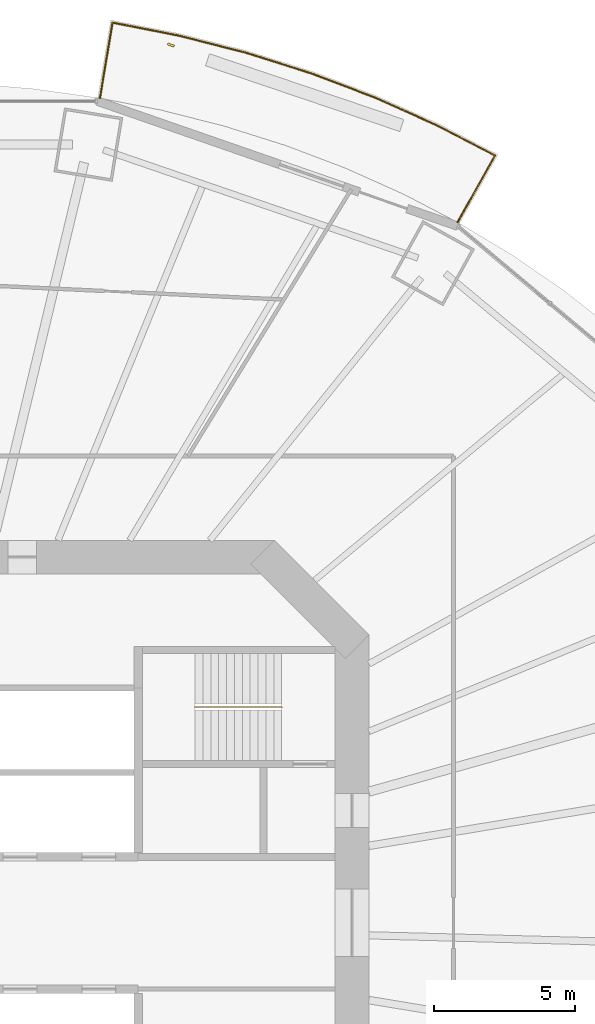
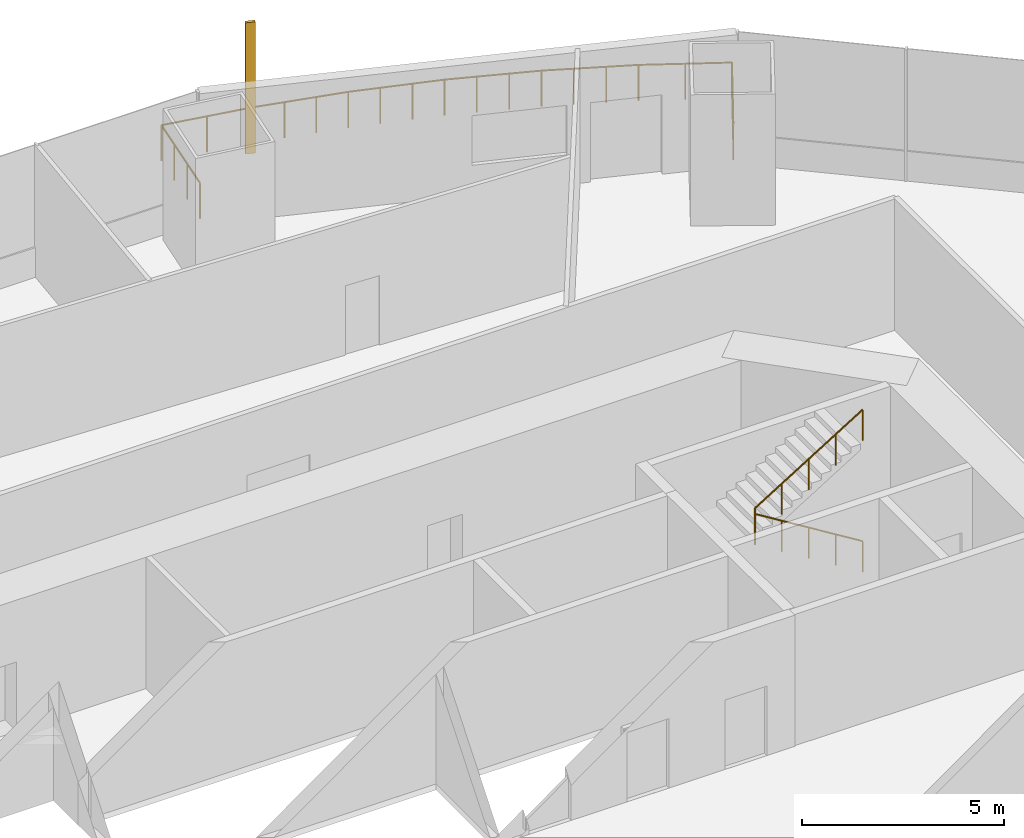
# One storey, part 20 of 22: 2 railings, 1 shading device.
"""IFC4 building model written with IfcOpenShell, lengths in metres."""

from ifc_helpers import new_model, si_unit, direction, frame, origin, origin_2d, place, context, subcontext, project, spatial, rectangle, circle, extrude, material, material_profile, profile_set, type_object, element, save


model = new_model("IFC4")

# Units and contexts
model_context = context("Model", 3, precision=1e-05, world=origin(), true_north=direction((0.0, 1.0)))
body_context = subcontext(model_context, "Body", "Model", "MODEL_VIEW")
ifc_project = project(units=[si_unit("LENGTHUNIT", "METRE"), si_unit("AREAUNIT", "SQUARE_METRE"), si_unit("VOLUMEUNIT", "CUBIC_METRE"), si_unit("PLANEANGLEUNIT", "RADIAN"), si_unit("MASSUNIT", "GRAM", prefix="KILO")], contexts=[model_context])

# Site, building, storey
site_placement = place(None, origin())
site = spatial("IfcSite", under=ifc_project, at=site_placement, CompositionType="ELEMENT")
building_placement = place(site_placement, origin())
building = spatial("IfcBuilding", under=site, at=building_placement, Name="Marenthal Gate Tower", CompositionType="ELEMENT")
storey_placement = place(building_placement, frame((0.0, 0.0, 74.5)))
storey = spatial("IfcBuildingStorey", under=building, at=storey_placement, Name="L14", CompositionType="ELEMENT", Elevation=74.5)

# Railings
ifc_material_1 = material(Name="Stainless steel", Category="steel")
railing_type_1 = type_object("IfcRailingType", Name="Balcony guard 1100", PredefinedType="GUARDRAIL", material=ifc_material_1)
railing_1_placement = place(storey_placement, frame((7.038330078125, 29.316162109375, 0.0)))
element("IfcRailing", 1, at=railing_1_placement, inside=storey, type_object=railing_type_1, Name="Balcony guard L14 bay 3", PredefinedType="GUARDRAIL", context=body_context, shape_type="SweptSolid", body=[
    extrude(circle(Radius=0.02392578125, at=origin_2d()), frame((0.0, 0.0, 1.076171875), z_axis=(0.164599482451, 0.986250661205, -0.014718819587), x_axis=(-0.986357511038, 0.164617315064, 0.0)), (0.0, 0.0, 1.0), 2.72021484375),
    extrude(circle(Radius=0.02392578125, at=origin_2d()), frame((0.44775390625, 2.682861328125, 1.0361328125), z_axis=(0.981255035118, -0.192713663388, 0.0), x_axis=(0.192713663388, 0.981255035118, 0.0)), (0.0, 0.0, 1.0), 2.387939453125),
    extrude(circle(Radius=0.02392578125, at=origin_2d()), frame((2.791015625, 2.22265625, 1.0361328125), z_axis=(0.969164913017, -0.246413009756, 0.0), x_axis=(0.246413009756, 0.969164913017, 0.0)), (0.0, 0.0, 1.0), 2.4580078125),
    extrude(circle(Radius=0.02392578125, at=origin_2d()), frame((5.17333984375, 1.616943359375, 1.0361328125), z_axis=(0.953650519342, -0.300916411912, 0.0), x_axis=(0.300916411912, 0.953650519342, 0.0)), (0.0, 0.0, 1.0), 2.446044921875),
    extrude(circle(Radius=0.02392578125, at=origin_2d()), frame((7.506103515625, 0.880859375, 1.0361328125), z_axis=(0.934822913626, -0.355114235366, 0.0), x_axis=(0.355114235366, 0.934822913626, 0.0)), (0.0, 0.0, 1.0), 2.431640625),
    extrude(circle(Radius=0.02392578125, at=origin_2d()), frame((9.779296875, 0.017333984375, 1.0361328125), z_axis=(0.91254444095, -0.408977558419, 0.0), x_axis=(0.408977558419, 0.91254444095, 0.0)), (0.0, 0.0, 1.0), 2.415771484375),
    extrude(circle(Radius=0.02392578125, at=origin_2d()), frame((11.98388671875, -0.970703125, 1.0361328125), z_axis=(0.887259903965, -0.461269837314, 0.0), x_axis=(0.461269837314, 0.887259903965, 0.0)), (0.0, 0.0, 1.0), 2.318359375),
    extrude(circle(Radius=0.02392578125, at=origin_2d()), frame((14.040771484375, -2.0400390625, 1.0361328125), z_axis=(-0.488916588254, -0.872206373208, 0.014717753391), x_axis=(0.872300853857, -0.488969549523, 0.0)), (0.0, 0.0, 1.0), 2.720458984375),
    extrude(circle(Radius=0.02099609375, at=origin_2d()), origin(), (0.0, 0.0, 1.0), 1.052001953125),
    extrude(circle(Radius=0.02099609375, at=origin_2d()), frame((0.149169921875, 0.894287109375, -0.013427734375)), (0.0, 0.0, 1.0), 1.052001953125),
    extrude(circle(Radius=0.02099609375, at=origin_2d()), frame((0.298583984375, 1.78857421875, -0.026611328125)), (0.0, 0.0, 1.0), 1.052001953125),
    extrude(circle(Radius=0.02099609375, at=origin_2d()), frame((0.44775390625, 2.682861328125, -0.0400390625)), (0.0, 0.0, 1.0), 1.052001953125),
    extrude(circle(Radius=0.02099609375, at=origin_2d()), frame((1.619384765625, 2.45263671875, -0.0400390625)), (0.0, 0.0, 1.0), 1.052001953125),
    extrude(circle(Radius=0.02099609375, at=origin_2d()), frame((2.791015625, 2.22265625, -0.0400390625)), (0.0, 0.0, 1.0), 1.052001953125),
    extrude(circle(Radius=0.02099609375, at=origin_2d()), frame((3.585205078125, 2.020751953125, -0.0400390625)), (0.0, 0.0, 1.0), 1.052001953125),
    extrude(circle(Radius=0.02099609375, at=origin_2d()), frame((4.379150390625, 1.81884765625, -0.0400390625)), (0.0, 0.0, 1.0), 1.052001953125),
    extrude(circle(Radius=0.02099609375, at=origin_2d()), frame((5.17333984375, 1.616943359375, -0.0400390625)), (0.0, 0.0, 1.0), 1.052001953125),
    extrude(circle(Radius=0.02099609375, at=origin_2d()), frame((5.950927734375, 1.37158203125, -0.0400390625)), (0.0, 0.0, 1.0), 1.052001953125),
    extrude(circle(Radius=0.02099609375, at=origin_2d()), frame((6.728515625, 1.126220703125, -0.0400390625)), (0.0, 0.0, 1.0), 1.052001953125),
    extrude(circle(Radius=0.02099609375, at=origin_2d()), frame((7.506103515625, 0.880859375, -0.0400390625)), (0.0, 0.0, 1.0), 1.052001953125),
    extrude(circle(Radius=0.02099609375, at=origin_2d()), frame((8.263916015625, 0.593017578125, -0.0400390625)), (0.0, 0.0, 1.0), 1.052001953125),
    extrude(circle(Radius=0.02099609375, at=origin_2d()), frame((9.021484375, 0.30517578125, -0.0400390625)), (0.0, 0.0, 1.0), 1.052001953125),
    extrude(circle(Radius=0.02099609375, at=origin_2d()), frame((9.779296875, 0.017333984375, -0.0400390625)), (0.0, 0.0, 1.0), 1.052001953125),
    extrude(circle(Radius=0.02099609375, at=origin_2d()), frame((10.51416015625, -0.31201171875, -0.0400390625)), (0.0, 0.0, 1.0), 1.052001953125),
    extrude(circle(Radius=0.02099609375, at=origin_2d()), frame((11.2490234375, -0.641357421875, -0.0400390625)), (0.0, 0.0, 1.0), 1.052001953125),
    extrude(circle(Radius=0.02099609375, at=origin_2d()), frame((11.98388671875, -0.970703125, -0.0400390625)), (0.0, 0.0, 1.0), 1.052001953125),
    extrude(circle(Radius=0.02099609375, at=origin_2d()), frame((13.01220703125, -1.50537109375, -0.0400390625)), (0.0, 0.0, 1.0), 1.052001953125),
    extrude(circle(Radius=0.02099609375, at=origin_2d()), frame((14.040771484375, -2.0400390625, -0.0400390625)), (0.0, 0.0, 1.0), 1.052001953125),
    extrude(circle(Radius=0.02099609375, at=origin_2d()), frame((13.597412109375, -2.8310546875, -0.026611328125)), (0.0, 0.0, 1.0), 1.052001953125),
    extrude(circle(Radius=0.02099609375, at=origin_2d()), frame((13.154052734375, -3.621826171875, -0.013427734375)), (0.0, 0.0, 1.0), 1.052001953125),
    extrude(circle(Radius=0.02099609375, at=origin_2d()), frame((12.710693359375, -4.412841796875, 0.0)), (0.0, 0.0, 1.0), 1.052001953125),
])
ifc_material_2 = material(Name="Stainless steel", Category="steel")
railing_type_2 = type_object("IfcRailingType", Name="Stair handrail", PredefinedType="HANDRAIL", material=ifc_material_2)
railing_2_placement = place(storey_placement, frame((13.5, 7.675048828125, 0.1728515625)))
element("IfcRailing", 2, at=railing_2_placement, inside=storey, type_object=railing_type_2, Name="Handrail ST3", PredefinedType="HANDRAIL", context=body_context, shape_type="SweptSolid", body=[
    extrude(circle(Radius=0.0224609375, at=origin_2d()), frame((0.0, 0.0, 0.927490234375), z_axis=(-0.850835241893, 0.0, 0.525432575268), x_axis=(0.0, -1.0, 0.0)), (0.0, 0.0, 1.0), 3.6201171875),
    extrude(circle(Radius=0.0224609375, at=origin_2d()), frame((-3.080078125, 0.0, 2.82958984375), z_axis=(0.0, 0.0, 1.0), x_axis=(1.0, 0.0, 0.0)), (0.0, 0.0, 1.0), 0.1728515625),
    extrude(circle(Radius=0.0224609375, at=origin_2d()), frame((-3.080078125, 0.0, 3.00244140625), z_axis=(0.850835241893, 0.0, 0.525432575268), x_axis=(0.0, 1.0, 0.0)), (0.0, 0.0, 1.0), 3.6201171875),
    extrude(circle(Radius=0.02001953125, at=origin_2d()), origin(), (0.0, 0.0, 1.0), 0.905029296875),
    extrude(circle(Radius=0.02001953125, at=origin_2d()), frame((-0.77001953125, 0.0, 0.4755859375)), (0.0, 0.0, 1.0), 0.905029296875),
    extrude(circle(Radius=0.02001953125, at=origin_2d()), frame((-1.5400390625, 0.0, 0.951171875)), (0.0, 0.0, 1.0), 0.905029296875),
    extrude(circle(Radius=0.02001953125, at=origin_2d()), frame((-2.31005859375, 0.0, 1.426513671875)), (0.0, 0.0, 1.0), 0.905029296875),
    extrude(circle(Radius=0.02001953125, at=origin_2d()), frame((-3.080078125, 0.0, 1.902099609375)), (0.0, 0.0, 1.0), 0.905029296875),
    extrude(circle(Radius=0.02001953125, at=origin_2d()), frame((-3.080078125, 0.0, 2.074951171875)), (0.0, 0.0, 1.0), 0.905029296875),
    extrude(circle(Radius=0.02001953125, at=origin_2d()), frame((-2.31005859375, 0.0, 2.550537109375)), (0.0, 0.0, 1.0), 0.905029296875),
    extrude(circle(Radius=0.02001953125, at=origin_2d()), frame((-1.5400390625, 0.0, 3.02587890625)), (0.0, 0.0, 1.0), 0.905029296875),
    extrude(circle(Radius=0.02001953125, at=origin_2d()), frame((-0.77001953125, 0.0, 3.50146484375)), (0.0, 0.0, 1.0), 0.905029296875),
    extrude(circle(Radius=0.02001953125, at=origin_2d()), frame((0.0, 0.0, 3.97705078125)), (0.0, 0.0, 1.0), 0.905029296875),
])

# Shading device
ifc_material_3 = material(Name="Terracotta", Category="masonry")
ifc_material_profile = material_profile(ifc_material_3, rectangle(XDim=0.25, YDim=0.080078125, at=origin_2d()), Name="Terracotta baguette 250x80")
ifc_profile_set = profile_set([ifc_material_profile], Name="Terracotta")
shading_device_type = type_object("IfcShadingDeviceType", Name="Terracotta BAGUETTE SCREEN 250x80", PredefinedType="USERDEFINED", material=ifc_profile_set)
shading_device_placement = place(storey_placement, frame((9.5615234375, 31.202392578125, -0.0400390625), z_axis=(0.0, 0.0, 1.0), x_axis=(-0.944656596613, 0.328060839595, 0.0)))
element("IfcShadingDevice", 3, at=shading_device_placement, inside=storey, type_object=shading_device_type, Name="Terracotta BAGUETTE L14 bay 3R", ObjectType="BAGUETTE SCREEN", PredefinedType="USERDEFINED", context=body_context, shape_type="SweptSolid", body=[
    extrude(rectangle(XDim=0.25, YDim=0.080078125, at=origin_2d()), origin(), (0.0, 0.0, 1.0), 3.969970703125),
])

save(model, "model.ifc")
